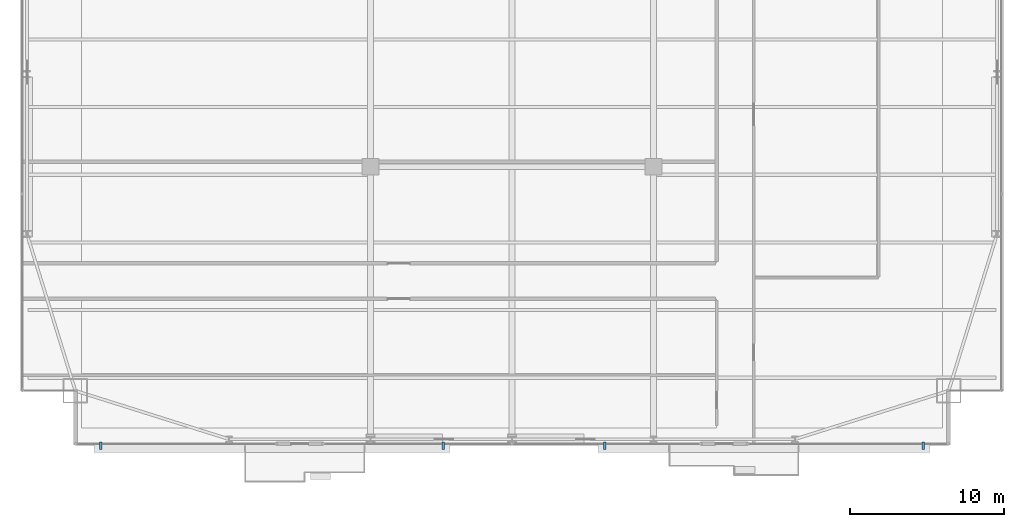
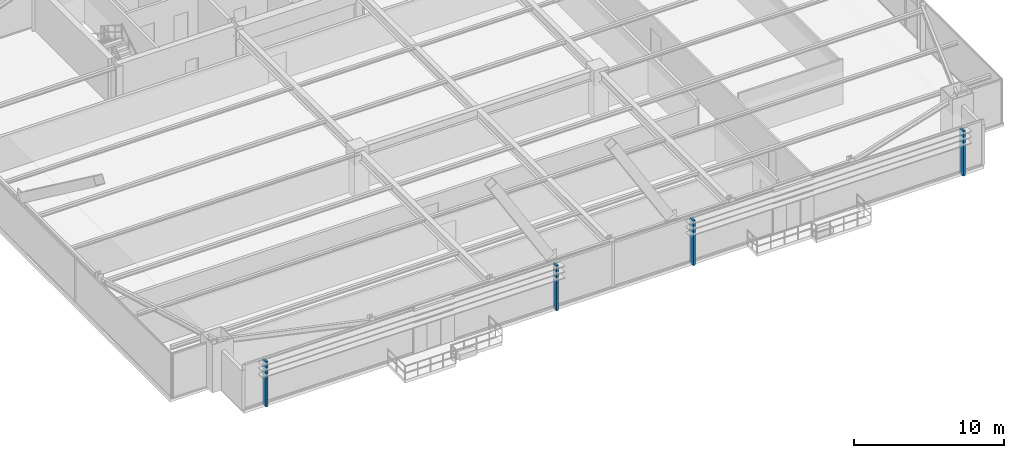
# One storey, part 32 of 34: 4 discrete accessories.
"""IFC4 building model written with IfcOpenShell, lengths in metres."""

from ifc_helpers import new_model, si_unit, direction, frame, origin, origin_2d, place, context, subcontext, project, spatial, rectangle, extrude, source, transform, mapped, material, layer, layer_set, type_object, type_shapes, element, save


model = new_model("IFC4")

# Units and contexts
model_context = context("Model", 3, precision=1e-05, world=origin(), true_north=direction((0.0, 1.0)))
body_context = subcontext(model_context, "Body", "Model", "MODEL_VIEW")
ifc_project = project(units=[si_unit("LENGTHUNIT", "METRE"), si_unit("AREAUNIT", "SQUARE_METRE"), si_unit("VOLUMEUNIT", "CUBIC_METRE"), si_unit("PLANEANGLEUNIT", "RADIAN"), si_unit("MASSUNIT", "GRAM", prefix="KILO")], contexts=[model_context])

# Site, building, storey
site_placement = place(None, origin())
site = spatial("IfcSite", under=ifc_project, at=site_placement, CompositionType="ELEMENT")
building_placement = place(site_placement, origin())
building = spatial("IfcBuilding", under=site, at=building_placement, Name="Varnel Quay Broadcast Tower", CompositionType="ELEMENT")
storey_placement = place(building_placement, frame((0.0, 0.0, 47.10009765625)))
storey = spatial("IfcBuildingStorey", under=building, at=storey_placement, Name="L10", CompositionType="ELEMENT", Elevation=47.10009765625)

# Discrete accessories
ifc_material = material(Name="Anodised Bronze Aluminium 6063-T6", Category="aluminium")
ifc_layer = layer(ifc_material, 0.47998046875, Name="Anodised Bronze Aluminium 6063-T6")
ifc_layer_set = layer_set([ifc_layer], Name="Anodised Bronze Aluminium 6063-T6")
discrete_accessory_type = type_object("IfcDiscreteAccessoryType", Name="Acc_FacadeBracket", PredefinedType="BRACKET", material=ifc_layer_set)
shared_shape = source(origin(), body_context, "Body", "SweptSolid", [
    extrude(rectangle(XDim=0.159912109375, YDim=0.47998046875, at=origin_2d()), origin(), (0.0, 0.0, 1.0), 3.64990234375),
])
type_shapes(discrete_accessory_type, [shared_shape])
for number, where, z_axis, x_axis, name in (
    (1, (7.25, 1.219970703125, -0.150146484375), (0.0, 0.0, 1.0), (1.0, 0.0, 0.0), "L10 Lobe 1 Louvre Support Bracket 1"),
    (2, (29.529052734375, 1.219970703125, -0.150146484375), (0.0, 0.0, 1.0), (1.0, 0.0, 0.0), "L10 Lobe 1 Louvre Support Bracket 2"),
    (3, (40.029052734375, 1.219970703125, -0.150146484375), (0.0, 0.0, 1.0), (1.0, 0.0, 0.0), "L10 Lobe 2 Louvre Support Bracket 1"),
    (4, (60.75, 1.219970703125, -0.150146484375), (0.0, 0.0, 1.0), (1.0, 0.0, 0.0), "L10 Lobe 2 Louvre Support Bracket 2"),
):
    element("IfcDiscreteAccessory", number, at=place(storey_placement, frame(where, z_axis=z_axis, x_axis=x_axis)), inside=storey, type_object=discrete_accessory_type, Name=name, PredefinedType="BRACKET", context=body_context, shape_type="MappedRepresentation", body=[
        mapped(shared_shape, transform((0.0, 0.0, 0.0), x_axis=(1.0, 0.0, 0.0), y_axis=(0.0, 1.0, 0.0), z_axis=(0.0, 0.0, 1.0), scale=1.0)),
    ])

save(model, "model.ifc")
